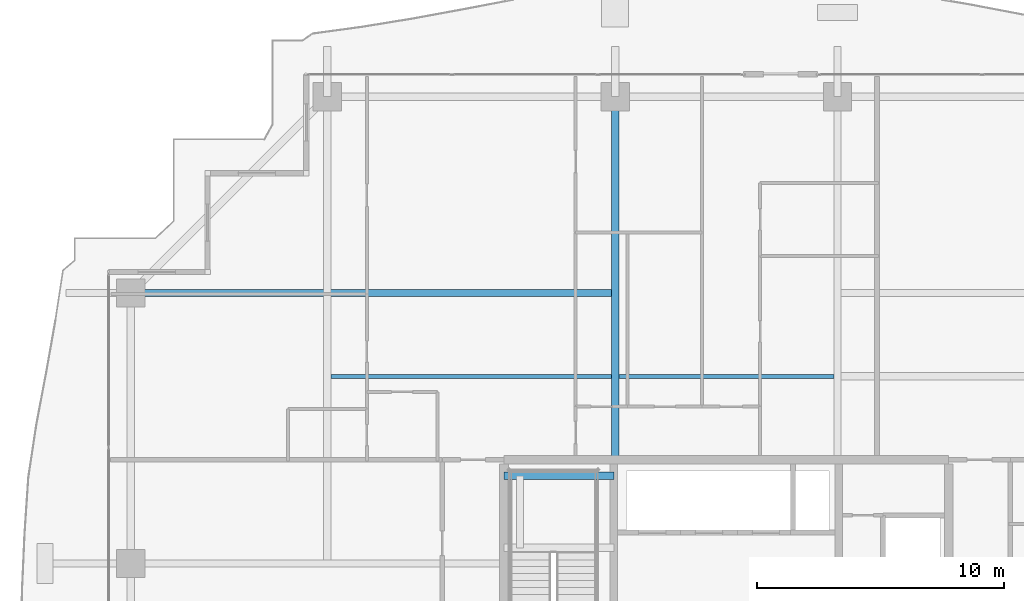
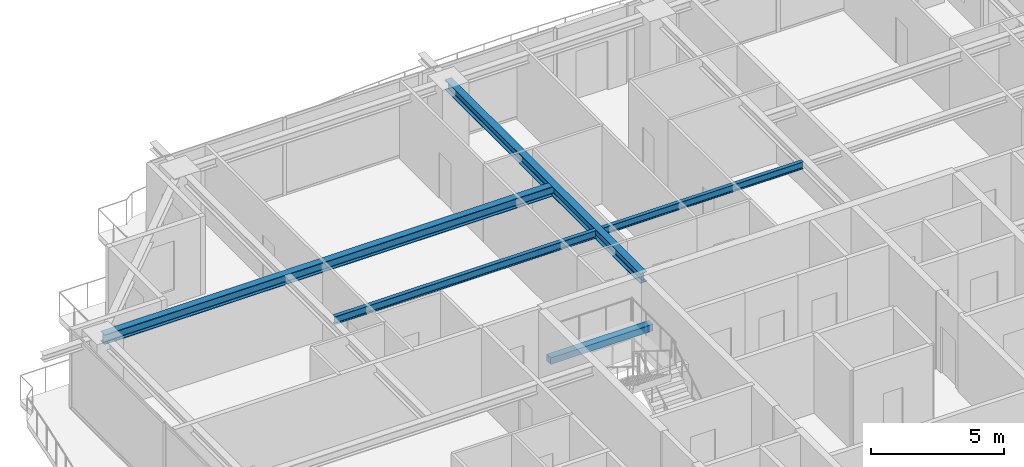
# One storey, part 20 of 39: 5 beams.
"""IFC4 building model written with IfcOpenShell, lengths in metres."""

from ifc_helpers import new_model, si_unit, direction, frame, origin, origin_2d, place, context, subcontext, project, spatial, rectangle, i_section, extrude, source, transform, mapped, material, material_profile, profile_set, type_object, element, save


model = new_model("IFC4")

# Units and contexts
model_context = context("Model", 3, precision=1e-05, world=origin(), true_north=direction((0.0, 1.0)))
body_context = subcontext(model_context, "Body", "Model", "MODEL_VIEW")
ifc_project = project(units=[si_unit("LENGTHUNIT", "METRE"), si_unit("AREAUNIT", "SQUARE_METRE"), si_unit("VOLUMEUNIT", "CUBIC_METRE"), si_unit("PLANEANGLEUNIT", "RADIAN"), si_unit("MASSUNIT", "GRAM", prefix="KILO")], contexts=[model_context])

# Site, building, storey
site_placement = place(None, origin())
site = spatial("IfcSite", under=ifc_project, at=site_placement, CompositionType="ELEMENT")
building_placement = place(site_placement, origin())
building = spatial("IfcBuilding", under=site, at=building_placement, Name="Serunith Strait Residences", CompositionType="ELEMENT")
storey_placement = place(building_placement, frame((0.0, 0.0, 222.0)))
storey = spatial("IfcBuildingStorey", under=building, at=storey_placement, Name="L55", CompositionType="ELEMENT", Elevation=222.0)

# Beams
ifc_material_1 = material(Name="Steel S355J2", Category="steel")
ifc_material_profile_1 = material_profile(ifc_material_1, i_section(OverallWidth=0.159912109375, OverallDepth=0.330078125, WebThickness=0.007568359375, FlangeThickness=0.011474609375, FilletRadius=0.01806640625, at=origin_2d()), Name="IPE 330")
ifc_profile_set_1 = profile_set([ifc_material_profile_1], Name="Steel S355J2")
beam_type_1 = type_object("IfcBeamType", Name="BM-IPE330", PredefinedType="JOIST", material=ifc_profile_set_1)
shared_shape_1 = source(origin(), body_context, "Body", "SweptSolid", [
    extrude(i_section(OverallWidth=0.159912109375, OverallDepth=0.330078125, WebThickness=0.007568359375, FlangeThickness=0.011474609375, FilletRadius=0.01806640625, at=origin_2d()), origin(), (0.0, 0.0, 1.0), 8.699951171875),
])
beam_1_placement = place(storey_placement, frame((28.050048828125, 36.97509765625, 3.422119140625), z_axis=(1.0, 0.0, 0.0), x_axis=(0.0, 1.0, 0.0)))
element("IfcBeam", 1, at=beam_1_placement, inside=storey, type_object=beam_type_1, Name="L55 Composite Floor Joist 05", PredefinedType="JOIST", context=body_context, shape_type="MappedRepresentation", body=[
    mapped(shared_shape_1, transform((0.0, 0.0, 0.0), scale=1.0)),
])
ifc_material_profile_2 = material_profile(ifc_material_1, i_section(OverallWidth=0.300048828125, OverallDepth=0.449951171875, WebThickness=0.013916015625, FlangeThickness=0.02587890625, FilletRadius=0.027099609375, at=origin_2d()), Name="HEB 450")
ifc_profile_set_2 = profile_set([ifc_material_profile_2], Name="Steel S355J2")
beam_type_2 = type_object("IfcBeamType", Name="BM-HEB450", PredefinedType="BEAM", material=ifc_profile_set_2)
shared_shape_2 = source(origin(), body_context, "Body", "SweptSolid", [
    extrude(i_section(OverallWidth=0.300048828125, OverallDepth=0.449951171875, WebThickness=0.013916015625, FlangeThickness=0.02587890625, FilletRadius=0.027099609375, at=origin_2d()), origin(), (0.0, 0.0, 1.0), 14.699951171875),
])
beam_2_placement = place(storey_placement, frame((27.89990234375, 33.60009765625, 3.362060546875), z_axis=(0.0, 1.0, 0.0), x_axis=(-1.0, 0.0, 0.0)))
element("IfcBeam", 2, at=beam_2_placement, inside=storey, type_object=beam_type_2, Name="L55 Primary Floor Girder TC-N2", PredefinedType="BEAM", context=body_context, shape_type="MappedRepresentation", body=[
    mapped(shared_shape_2, transform((0.0, 0.0, 0.0), scale=1.0)),
])
shared_shape_3 = source(origin(), body_context, "Body", "SweptSolid", [
    extrude(i_section(OverallWidth=0.300048828125, OverallDepth=0.449951171875, WebThickness=0.013916015625, FlangeThickness=0.02587890625, FilletRadius=0.027099609375, at=origin_2d()), origin(), (0.0, 0.0, 1.0), 19.599853515625),
])
beam_3_placement = place(storey_placement, frame((27.89990234375, 40.35009765625, 3.362060546875), z_axis=(-1.0, 0.0, 0.0), x_axis=(0.0, -1.0, 0.0)))
element("IfcBeam", 3, at=beam_3_placement, inside=storey, type_object=beam_type_2, Name="L55 Orthogonal Corner Girder TC-W4", PredefinedType="BEAM", context=body_context, shape_type="MappedRepresentation", body=[
    mapped(shared_shape_3, transform((0.0, 0.0, 0.0), scale=1.0)),
])
ifc_material_profile_3 = material_profile(ifc_material_1, i_section(OverallWidth=0.169921875, OverallDepth=0.360107421875, WebThickness=0.008056640625, FlangeThickness=0.0126953125, FilletRadius=0.01806640625, at=origin_2d()), Name="IPE 360")
ifc_profile_set_3 = profile_set([ifc_material_profile_3], Name="Steel S355J2")
beam_type_3 = type_object("IfcBeamType", Name="BM-IPE360", PredefinedType="JOIST", material=ifc_profile_set_3)
shared_shape_4 = source(origin(), body_context, "Body", "SweptSolid", [
    extrude(i_section(OverallWidth=0.169921875, OverallDepth=0.360107421875, WebThickness=0.008056640625, FlangeThickness=0.0126953125, FilletRadius=0.01806640625, at=origin_2d()), origin(), (0.0, 0.0, 1.0), 11.35009765625),
])
beam_4_placement = place(storey_placement, frame((16.39990234375, 36.97509765625, 3.406982421875), z_axis=(1.0, 0.0, 0.0), x_axis=(0.0, 1.0, 0.0)))
element("IfcBeam", 4, at=beam_4_placement, inside=storey, type_object=beam_type_3, Name="L55 Composite Floor Joist 04", PredefinedType="JOIST", context=body_context, shape_type="MappedRepresentation", body=[
    mapped(shared_shape_4, transform((0.0, 0.0, 0.0), scale=1.0)),
])
ifc_material_2 = material(Name="Concrete C60/75", Category="concrete")
ifc_material_profile_4 = material_profile(ifc_material_2, rectangle(XDim=0.300048828125, YDim=0.300048828125, at=origin_2d()), Name="RC 300x300")
ifc_profile_set_4 = profile_set([ifc_material_profile_4], Name="Concrete C60/75")
beam_type_4 = type_object("IfcBeamType", Name="BM-LAND-300x300", PredefinedType="BEAM", material=ifc_profile_set_4)
shared_shape_5 = source(origin(), body_context, "Body", "SweptSolid", [
    extrude(rectangle(XDim=0.300048828125, YDim=0.300048828125, at=origin_2d()), origin(), (0.0, 0.0, 1.0), 4.4501953125),
])
beam_5_placement = place(storey_placement, frame((23.39990234375, 32.949951171875, 1.574951171875), z_axis=(1.0, 0.0, 0.0), x_axis=(0.0, 1.0, 0.0)))
element("IfcBeam", 5, at=beam_5_placement, inside=storey, type_object=beam_type_4, Name="L55 ST-1 Landing Support Beam 2", PredefinedType="BEAM", context=body_context, shape_type="MappedRepresentation", body=[
    mapped(shared_shape_5, transform((0.0, 0.0, 0.0), scale=1.0)),
])

save(model, "model.ifc")
